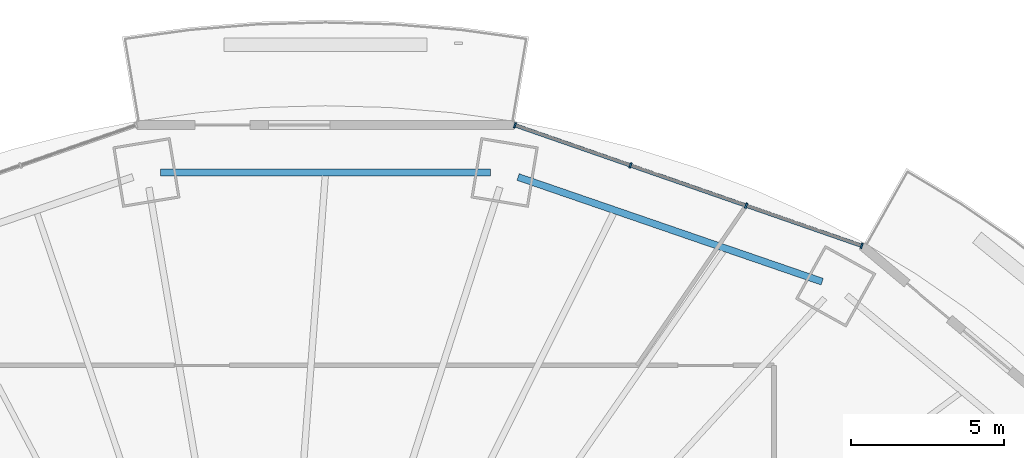
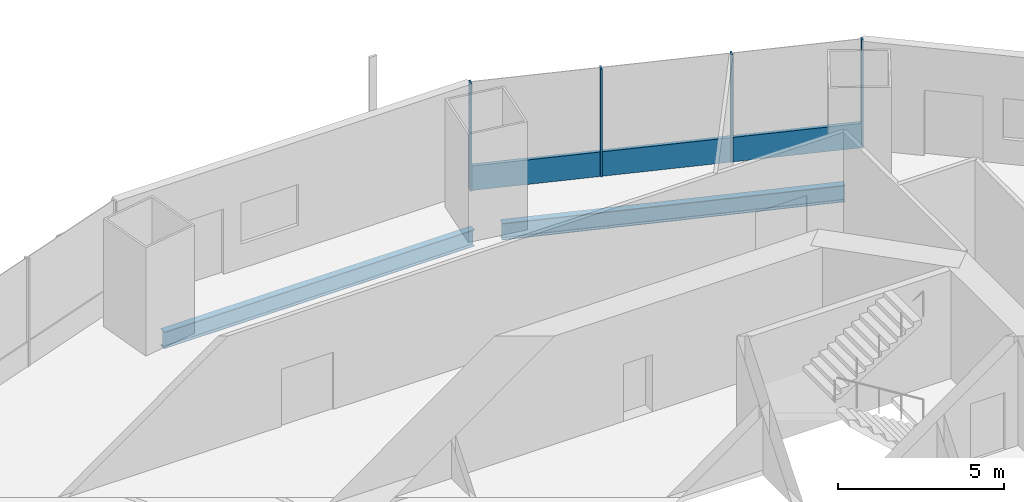
# One storey, part 9 of 21: 5 members, 2 beams, 1 element without a shape of its own.
"""IFC4 building model written with IfcOpenShell, lengths in metres."""

import ifcopenshell
import ifcopenshell.guid

model = None  # the IFC model being written
_history = None  # IfcOwnerHistory: only IFC2X3 demands one
_inside = {}  # id of a spatial element -> (the spatial element, [elements in it])
_under = {}  # id of a project, library or spatial element -> (it, [spatial elements below it])
_declared = {}  # id of a project -> (the project, [libraries it declares])
_typed = {}  # id of a type object -> (the type object, [elements of that type])
_made_of = {}  # id of a material, layer set ... -> (it, [elements and type objects made of it])


def new_model(schema):
    """Start an empty IFC model of exactly this schema.

    Asked for "IFC4X3", IfcOpenShell would pick the latest addendum, in which some entities
    have other attributes; the version numbers below select the first issue.
    IFC2X3 requires an IfcOwnerHistory on every rooted entity: one is made here for all.
    """
    global model, _history
    if schema == "IFC4X3":
        model = ifcopenshell.file(schema_version=(4, 3, 0, 0))
    else:
        model = ifcopenshell.file(schema=schema)
    _inside.clear()
    _under.clear()
    _declared.clear()
    _typed.clear()
    _made_of.clear()
    _history = None
    if model.schema == "IFC2X3":
        org = make("IfcOrganization", Name="unknown")
        user = make(
            "IfcPersonAndOrganization",
            ThePerson=make("IfcPerson", FamilyName="unknown"),
            TheOrganization=org,
        )
        app = make(
            "IfcApplication",
            ApplicationDeveloper=org,
            Version="unknown",
            ApplicationFullName="unknown",
            ApplicationIdentifier="unknown",
        )
        _history = make(
            "IfcOwnerHistory",
            OwningUser=user,
            OwningApplication=app,
            ChangeAction="ADDED",
            CreationDate=0,
        )
    return model


def make(cls, **values):
    """One entity of the class cls with the attributes given. An attribute that is None is left unset."""
    return model.create_entity(
        cls, **{name: value for name, value in values.items() if value is not None}
    )


def rooted(cls, **values):
    """An entity with a GlobalId (a new one), such as an element, a storey or a relation."""
    return make(cls, GlobalId=ifcopenshell.guid.new(), OwnerHistory=_history, **values)


def si_unit(unit_type, name, prefix=None):
    """IfcSIUnit, for example si_unit("LENGTHUNIT", "METRE", prefix="MILLI")."""
    return make("IfcSIUnit", UnitType=unit_type, Prefix=prefix, Name=name)


def assignment(units):
    """IfcUnitAssignment: the units of a project."""
    return None if units is None else make("IfcUnitAssignment", Units=units)


def point(xyz):
    """IfcCartesianPoint."""
    return None if xyz is None else make("IfcCartesianPoint", Coordinates=xyz)


def direction(xyz):
    """IfcDirection."""
    return None if xyz is None else make("IfcDirection", DirectionRatios=xyz)


def frame(location, z_axis=None, x_axis=None):
    """IfcAxis2Placement3D, a coordinate frame: its origin and axes. An axis left out is left unset."""
    return make(
        "IfcAxis2Placement3D",
        Location=point(location),
        Axis=direction(z_axis),
        RefDirection=direction(x_axis),
    )


def frame_2d(location, x_axis=None):
    """IfcAxis2Placement2D, a coordinate frame in the plane: its origin and x axis."""
    return make(
        "IfcAxis2Placement2D", Location=point(location), RefDirection=direction(x_axis)
    )


def origin():
    """The frame at (0, 0, 0) with its axes left unset."""
    return frame((0.0, 0.0, 0.0))


def origin_2d():
    """The frame at (0, 0) in the plane with its x axis left unset."""
    return frame_2d((0.0, 0.0))


def place(relative_to, where):
    """IfcLocalPlacement: puts the frame where relative to a parent placement (None: the world)."""
    return make(
        "IfcLocalPlacement", PlacementRelTo=relative_to, RelativePlacement=where
    )


def context(
    kind, dimensions, precision=None, world=None, true_north=None, identifier=None
):
    """IfcGeometricRepresentationContext, for example the 3D "Model" context."""
    return make(
        "IfcGeometricRepresentationContext",
        ContextIdentifier=identifier,
        ContextType=kind,
        CoordinateSpaceDimension=dimensions,
        Precision=precision,
        WorldCoordinateSystem=world,
        TrueNorth=true_north,
    )


def subcontext(parent, identifier, kind, view, scale=None):
    """IfcGeometricRepresentationSubContext, for example "Body" below "Model"."""
    return make(
        "IfcGeometricRepresentationSubContext",
        ContextIdentifier=identifier,
        ContextType=kind,
        ParentContext=parent,
        TargetScale=scale,
        TargetView=view,
    )


def project(units=None, contexts=None):
    """IfcProject with its units and contexts."""
    return rooted(
        "IfcProject",
        Name="project",
        RepresentationContexts=contexts,
        UnitsInContext=assignment(units),
    )


def spatial(cls, under=None, at=None, **own):
    """A site, building, storey or space (cls), placed at a placement, below another one or the project."""
    s = rooted(cls, ObjectPlacement=at, **own)
    if under is not None:
        _under.setdefault(under.id(), (under, []))[1].append(s)
    return s


def profile(cls, at=None, kind="AREA", **sizes):
    """A parametric profile (cls). Its sizes go by their IFC names, for example OverallWidth=200.0."""
    return make(cls, ProfileType=kind, Position=at, **sizes)


def rectangle(**sizes):
    """IfcRectangleProfileDef."""
    return profile("IfcRectangleProfileDef", **sizes)


def i_section(**sizes):
    """IfcIShapeProfileDef."""
    return profile("IfcIShapeProfileDef", **sizes)


def extrude(swept, where, along, depth):
    """IfcExtrudedAreaSolid: the profile swept, set in the frame where, extruded along a direction by depth."""
    return make(
        "IfcExtrudedAreaSolid",
        SweptArea=swept,
        Position=where,
        ExtrudedDirection=direction(along),
        Depth=depth,
    )


def shape(context_of_items, identifier, shape_type, items):
    """IfcShapeRepresentation: the items that make up one representation, for example the "Body"."""
    return make(
        "IfcShapeRepresentation",
        ContextOfItems=context_of_items,
        RepresentationIdentifier=identifier,
        RepresentationType=shape_type,
        Items=items,
    )


def material(Name=None, Category=None):
    """IfcMaterial."""
    return make("IfcMaterial", Name=Name, Category=Category)


def material_profile(
    of_material, cross_section, Name=None, Category=None, Priority=None
):
    """IfcMaterialProfile: a cross section and its material."""
    return make(
        "IfcMaterialProfile",
        Name=Name,
        Material=of_material,
        Profile=cross_section,
        Priority=Priority,
        Category=Category,
    )


def profile_set(profiles, Name=None, composite=None):
    """IfcMaterialProfileSet."""
    return make(
        "IfcMaterialProfileSet",
        Name=Name,
        MaterialProfiles=profiles,
        CompositeProfile=composite,
    )


def made_of(thing, what):
    """Note that an element or type object is made of a material, layer set ...; save() writes the relation."""
    if what is not None:
        _made_of.setdefault(what.id(), (what, []))[1].append(thing)
    return thing


def type_object(cls, material=None, **own):
    """A type object (cls), such as IfcWallType, which elements share."""
    return made_of(rooted(cls, **own), material)


def element(
    cls,
    number,
    at=None,
    inside=None,
    cuts=None,
    type_object=None,
    material=None,
    context=None,
    identifier="Body",
    shape_type=None,
    held_by="IfcProductDefinitionShape",
    body=None,
    shapes=None,
    **own,
):
    """One element of the class cls, such as IfcWall. Its Tag is "e" and its number.

    at: its placement. inside: the storey or other place that contains it. cuts: it is an
    opening in that element (IfcRelVoidsElement). A single representation is given by context,
    identifier, shape_type and body (its items); several are given by shapes. held_by: the class
    of the entity that holds the representations. save() writes the other relations.
    """
    e = rooted(cls, Tag="e%d" % number, ObjectPlacement=at, **own)
    if body is not None:
        shapes = [shape(context, identifier, shape_type, body)]
    if shapes is not None:
        e.Representation = make(held_by, Representations=shapes)
    if inside is not None:
        _inside.setdefault(inside.id(), (inside, []))[1].append(e)
    if cuts is not None:
        rooted(
            "IfcRelVoidsElement", RelatingBuildingElement=cuts, RelatedOpeningElement=e
        )
    if type_object is not None:
        _typed.setdefault(type_object.id(), (type_object, []))[1].append(e)
    return made_of(e, material)


def aggregate(whole, parts):
    """IfcRelAggregates: a whole, such as a stair, and the parts it consists of."""
    return rooted("IfcRelAggregates", RelatingObject=whole, RelatedObjects=parts)


def save(model, path):
    """Write the relations noted so far, then the file.

    IfcRelAggregates (storeys below a building ...), IfcRelContainedInSpatialStructure (elements
    in a storey), IfcRelDefinesByType, IfcRelAssociatesMaterial and IfcRelDeclares: one each for
    every whole, place, type object, material and project.
    """
    for whole, parts in _under.values():
        aggregate(whole, parts)
    for where, things in _inside.values():
        rooted(
            "IfcRelContainedInSpatialStructure",
            RelatedElements=things,
            RelatingStructure=where,
        )
    for kind, things in _typed.values():
        rooted("IfcRelDefinesByType", RelatedObjects=things, RelatingType=kind)
    for what, things in _made_of.values():
        rooted("IfcRelAssociatesMaterial", RelatedObjects=things, RelatingMaterial=what)
    for by, libraries in _declared.values():
        rooted("IfcRelDeclares", RelatingContext=by, RelatedDefinitions=libraries)
    model.write(path)


model = new_model("IFC4")

# Units and contexts
model_context = context("Model", 3, precision=1e-05, world=origin(), true_north=direction((0.0, 1.0)))
body_context = subcontext(model_context, "Body", "Model", "MODEL_VIEW")
ifc_project = project(units=[si_unit("LENGTHUNIT", "METRE"), si_unit("AREAUNIT", "SQUARE_METRE"), si_unit("VOLUMEUNIT", "CUBIC_METRE"), si_unit("PLANEANGLEUNIT", "RADIAN"), si_unit("MASSUNIT", "GRAM", prefix="KILO")], contexts=[model_context])

# Site, building, storey
site_placement = place(None, origin())
site = spatial("IfcSite", under=ifc_project, at=site_placement, CompositionType="ELEMENT")
building_placement = place(site_placement, origin())
building = spatial("IfcBuilding", under=site, at=building_placement, Name="Marenthal Gate Tower", CompositionType="ELEMENT")
storey_placement = place(building_placement, frame((0.0, 0.0, 198.39990234375)))
storey = spatial("IfcBuildingStorey", under=building, at=storey_placement, Name="L43", CompositionType="ELEMENT", Elevation=198.39990234375)

# Curtain wall, members
ifc_material_1 = material(Name="Aluminium and glass", Category="aluminium")
curtain_wall_type = type_object("IfcCurtainWallType", Name="Curtain wall typical mid", PredefinedType="NOTDEFINED", material=ifc_material_1)
curtain_wall_placement = place(storey_placement, origin())
curtain_wall = element("IfcCurtainWall", 1, at=curtain_wall_placement, inside=storey, type_object=curtain_wall_type, Name="Curtain wall L43 bay 3", PredefinedType="NOTDEFINED")
ifc_material_2 = material(Name="Aluminium", Category="aluminium")
ifc_material_profile_1 = material_profile(ifc_material_2, rectangle(XDim=0.179931640625, YDim=0.06005859375, at=origin_2d()), Name="60x180 aluminium mullion")
ifc_profile_set_1 = profile_set([ifc_material_profile_1], Name="Aluminium")
member_type_1 = type_object("IfcMemberType", Name="Mullion 60x180 typical mid", PredefinedType="MULLION", material=ifc_profile_set_1)
member_1_placement = place(storey_placement, frame((19.312255859375, 21.439697265625, 0.0), z_axis=(0.0, 0.0, 1.0), x_axis=(-0.328332307555, -0.944562277362, 0.0)))
member_1 = element("IfcMember", 2, at=member_1_placement, type_object=member_type_1, Name="Mullion L43 bay 3.1", PredefinedType="MULLION", context=body_context, shape_type="SweptSolid", body=[
    extrude(rectangle(XDim=0.179931640625, YDim=0.06005859375, at=origin_2d()), origin(), (0.0, 0.0, 1.0), 3.97021484375),
])
member_2_placement = place(storey_placement, frame((15.537353515625, 22.751708984375, 0.0), z_axis=(0.0, 0.0, 1.0), x_axis=(-0.328332307555, -0.944562277362, 0.0)))
member_2 = element("IfcMember", 3, at=member_2_placement, type_object=member_type_1, Name="Mullion L43 bay 3.2", PredefinedType="MULLION", context=body_context, shape_type="SweptSolid", body=[
    extrude(rectangle(XDim=0.179931640625, YDim=0.06005859375, at=origin_2d()), origin(), (0.0, 0.0, 1.0), 3.97021484375),
])
member_3_placement = place(storey_placement, frame((11.762451171875, 24.06396484375, 0.0), z_axis=(0.0, 0.0, 1.0), x_axis=(-0.328332307555, -0.944562277362, 0.0)))
member_3 = element("IfcMember", 4, at=member_3_placement, type_object=member_type_1, Name="Mullion L43 bay 3.3", PredefinedType="MULLION", context=body_context, shape_type="SweptSolid", body=[
    extrude(rectangle(XDim=0.179931640625, YDim=0.06005859375, at=origin_2d()), origin(), (0.0, 0.0, 1.0), 3.97021484375),
])
member_4_placement = place(storey_placement, frame((7.98779296875, 25.3759765625, 0.0), z_axis=(0.0, 0.0, 1.0), x_axis=(-0.328332307555, -0.944562277362, 0.0)))
member_4 = element("IfcMember", 5, at=member_4_placement, type_object=member_type_1, Name="Mullion L43 bay 3.4", PredefinedType="MULLION", context=body_context, shape_type="SweptSolid", body=[
    extrude(rectangle(XDim=0.179931640625, YDim=0.06005859375, at=origin_2d()), origin(), (0.0, 0.0, 1.0), 3.97021484375),
])
ifc_material_3 = material(Name="Aluminium", Category="aluminium")
ifc_material_profile_2 = material_profile(ifc_material_3, rectangle(XDim=0.1201171875, YDim=0.89990234375, at=origin_2d()), Name="120x900 aluminium transom")
ifc_profile_set_2 = profile_set([ifc_material_profile_2], Name="Aluminium")
member_type_2 = type_object("IfcMemberType", Name="Transom 120x900 typical mid", PredefinedType="USERDEFINED", material=ifc_profile_set_2)
member_5_placement = place(storey_placement, frame((19.283935546875, 21.449462890625, 0.4501953125), z_axis=(-0.944561661675, 0.328334078787, 0.0), x_axis=(-0.328334078787, -0.944561661675, 0.0)))
member_5 = element("IfcMember", 6, at=member_5_placement, type_object=member_type_2, Name="Transom L43 bay 3", ObjectType="TRANSOM", PredefinedType="USERDEFINED", context=body_context, shape_type="SweptSolid", body=[
    extrude(rectangle(XDim=0.1201171875, YDim=0.89990234375, at=origin_2d()), origin(), (0.0, 0.0, 1.0), 11.92919921875),
])
aggregate(curtain_wall, [member_1, member_2, member_3, member_4, member_5])

# Beams
ifc_material_4 = material(Name="Steel S355", Category="steel")
ifc_material_profile_3 = material_profile(ifc_material_4, i_section(OverallWidth=0.22900390625, OverallDepth=0.612060546875, WebThickness=0.011962890625, FlangeThickness=0.01953125, FilletRadius=0.0126953125, at=origin_2d()), Name="W610X125")
ifc_profile_set_3 = profile_set([ifc_material_profile_3], Name="Steel S355")
beam_type = type_object("IfcBeamType", Name="W610X125 beam", PredefinedType="BEAM", material=ifc_profile_set_3)
beam_1_placement = place(storey_placement, frame((18.023193359375, 20.267333984375, -0.48583984375), z_axis=(-0.945585416751, 0.325373968884, 0.0), x_axis=(-0.325373968884, -0.945585416751, 0.0)))
element("IfcBeam", 7, at=beam_1_placement, inside=storey, type_object=beam_type, Name="BM-L43-43", PredefinedType="BEAM", context=body_context, shape_type="SweptSolid", body=[
    extrude(i_section(OverallWidth=0.22900390625, OverallDepth=0.612060546875, WebThickness=0.011962890625, FlangeThickness=0.01953125, FilletRadius=0.0126953125, at=origin_2d()), origin(), (0.0, 0.0, 1.0), 10.50537109375),
])
beam_2_placement = place(storey_placement, frame((7.188232421875, 23.836181640625, -0.48583984375), z_axis=(-1.0, 0.0, 0.0), x_axis=(0.0, -1.0, 0.0)))
element("IfcBeam", 8, at=beam_2_placement, inside=storey, type_object=beam_type, Name="BM-L43-44", PredefinedType="BEAM", context=body_context, shape_type="SweptSolid", body=[
    extrude(i_section(OverallWidth=0.22900390625, OverallDepth=0.612060546875, WebThickness=0.011962890625, FlangeThickness=0.01953125, FilletRadius=0.0126953125, at=origin_2d()), origin(), (0.0, 0.0, 1.0), 10.7763671875),
])

save(model, "model.ifc")
